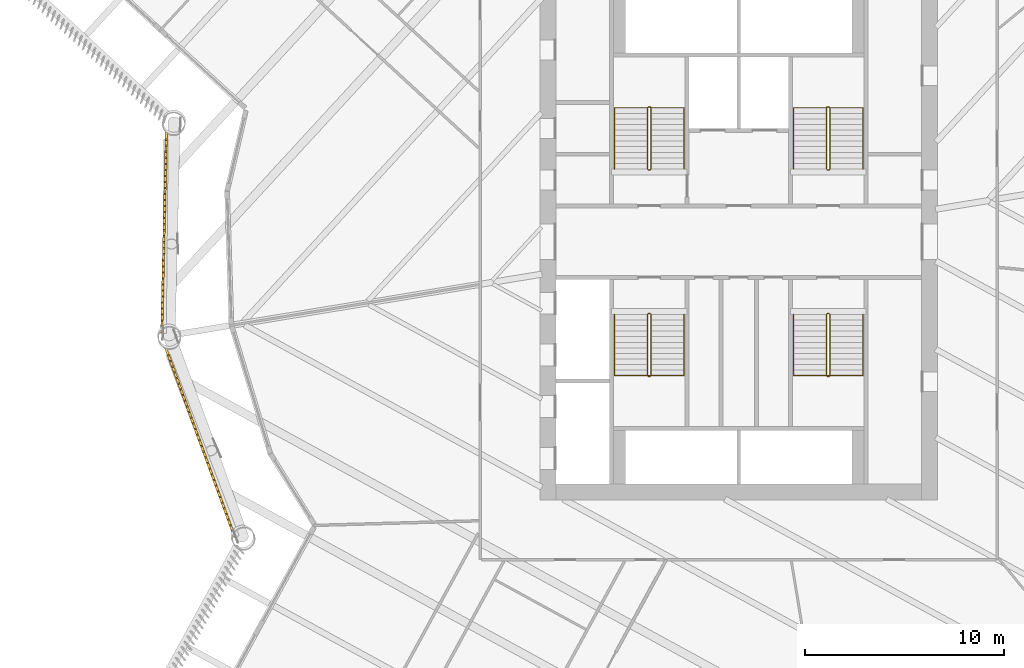
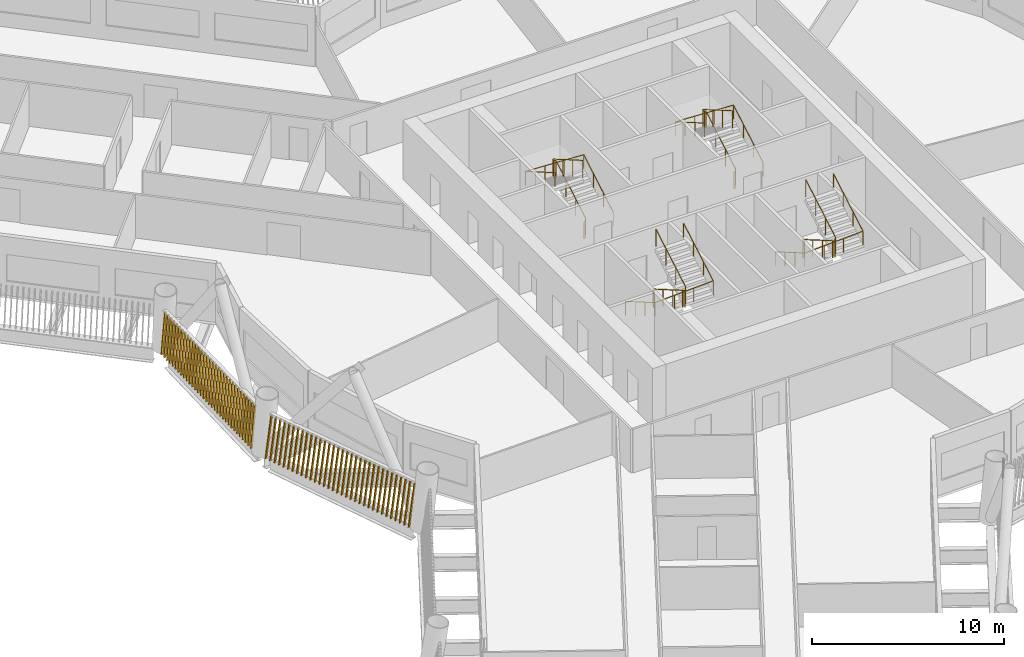
# One storey, part 20 of 24: 8 railings, 2 shading devices.
"""IFC4 building model written with IfcOpenShell, lengths in metres."""

from ifc_helpers import new_model, si_unit, direction, frame, frame_2d, origin, origin_2d, place, context, subcontext, project, spatial, rectangle, circle, composite_profile, extrude, material, type_object, element, save


model = new_model("IFC4")

# Units and contexts
model_context = context("Model", 3, precision=1e-05, world=origin(), true_north=direction((0.0, 1.0)))
body_context = subcontext(model_context, "Body", "Model", "MODEL_VIEW")
ifc_project = project(units=[si_unit("LENGTHUNIT", "METRE"), si_unit("AREAUNIT", "SQUARE_METRE"), si_unit("VOLUMEUNIT", "CUBIC_METRE"), si_unit("PLANEANGLEUNIT", "RADIAN"), si_unit("MASSUNIT", "GRAM", prefix="KILO")], contexts=[model_context])

# Site, building, storey
site_placement = place(None, origin())
site = spatial("IfcSite", under=ifc_project, at=site_placement, CompositionType="ELEMENT")
building_placement = place(site_placement, origin())
building = spatial("IfcBuilding", under=site, at=building_placement, Name="Tarsis Ring Headquarters", CompositionType="ELEMENT")
storey_placement = place(building_placement, frame((0.0, 0.0, 92.800048828125)))
storey = spatial("IfcBuildingStorey", under=building, at=storey_placement, Name="L20", CompositionType="ELEMENT", Elevation=92.800048828125)

# Railings
ifc_material_1 = material(Name="Steel S355", Category="steel")
railing_type_1 = type_object("IfcRailingType", Name="Core stair guard 1100", PredefinedType="GUARDRAIL", material=ifc_material_1)
railing_1_placement = place(storey_placement, frame((-4.5400390625, 3.610107421875, 0.0)))
element("IfcRailing", 1, at=railing_1_placement, inside=storey, type_object=railing_type_1, Name="L20 ST1 stair guard 1", PredefinedType="GUARDRAIL", context=body_context, shape_type="SweptSolid", body=[
    extrude(circle(Radius=0.02392578125, at=origin_2d()), frame((0.0, 0.0, 1.076171875), z_axis=(1.0, 0.0, 0.0), x_axis=(0.0, 1.0, 0.0)), (0.0, 0.0, 1.0), 0.080078125),
    extrude(circle(Radius=0.02392578125, at=origin_2d()), frame((0.080078125, 0.0, 1.076171875), z_axis=(0.282693820306, 0.281314826061, 0.917031173188), x_axis=(-0.705375805398, 0.708833529934, 0.0)), (0.0, 0.0, 1.0), 0.177001953125),
    extrude(circle(Radius=0.02392578125, at=origin_2d()), frame((0.130126953125, 0.0498046875, 1.23828125), z_axis=(0.0, 0.864890721111, 0.501960198159), x_axis=(-1.0, 0.0, 0.0)), (0.0, 0.0, 1.0), 3.561279296875),
    extrude(circle(Radius=0.02392578125, at=origin_2d()), frame((0.130126953125, 3.1298828125, 3.02587890625), z_axis=(-0.707106781187, 0.707106781187, 0.0), x_axis=(-0.707106781187, -0.707106781187, 0.0)), (0.0, 0.0, 1.0), 0.07080078125),
    extrude(circle(Radius=0.02392578125, at=origin_2d()), frame((0.080078125, 3.179931640625, 3.02587890625), z_axis=(-1.0, 0.0, 0.0), x_axis=(0.0, -1.0, 0.0)), (0.0, 0.0, 1.0), 0.080078125),
    extrude(circle(Radius=0.02392578125, at=origin_2d()), frame((0.0, 3.179931640625, 3.02587890625), z_axis=(-0.282227285176, -0.282227285176, 0.916894497205), x_axis=(0.707106781187, -0.707106781187, 0.0)), (0.0, 0.0, 1.0), 0.17724609375),
    extrude(circle(Radius=0.02392578125, at=origin_2d()), frame((-0.050048828125, 3.1298828125, 3.1884765625), z_axis=(0.0, -0.864920483161, 0.501908913857), x_axis=(1.0, 0.0, 0.0)), (0.0, 0.0, 1.0), 3.56103515625),
    extrude(circle(Radius=0.02099609375, at=origin_2d()), origin(), (0.0, 0.0, 1.0), 1.052001953125),
    extrude(circle(Radius=0.02099609375, at=origin_2d()), frame((0.080078125, 0.0, 0.0)), (0.0, 0.0, 1.0), 1.052001953125),
    extrude(circle(Radius=0.02099609375, at=origin_2d()), frame((0.130126953125, 0.0498046875, 0.162353515625)), (0.0, 0.0, 1.0), 1.052001953125),
    extrude(circle(Radius=0.02099609375, at=origin_2d()), frame((0.130126953125, 1.076416015625, 0.75830078125)), (0.0, 0.0, 1.0), 1.052001953125),
    extrude(circle(Radius=0.02099609375, at=origin_2d()), frame((0.130126953125, 2.103271484375, 1.35400390625)), (0.0, 0.0, 1.0), 1.052001953125),
    extrude(circle(Radius=0.02099609375, at=origin_2d()), frame((0.130126953125, 3.1298828125, 1.949951171875)), (0.0, 0.0, 1.0), 1.052001953125),
    extrude(circle(Radius=0.02099609375, at=origin_2d()), frame((0.080078125, 3.179931640625, 1.949951171875)), (0.0, 0.0, 1.0), 1.052001953125),
    extrude(circle(Radius=0.02099609375, at=origin_2d()), frame((0.0, 3.179931640625, 1.949951171875)), (0.0, 0.0, 1.0), 1.052001953125),
    extrude(circle(Radius=0.02099609375, at=origin_2d()), frame((-0.050048828125, 3.1298828125, 2.112548828125)), (0.0, 0.0, 1.0), 1.052001953125),
    extrude(circle(Radius=0.02099609375, at=origin_2d()), frame((-0.050048828125, 2.103271484375, 2.708251953125)), (0.0, 0.0, 1.0), 1.052001953125),
    extrude(circle(Radius=0.02099609375, at=origin_2d()), frame((-0.050048828125, 1.076416015625, 3.30419921875)), (0.0, 0.0, 1.0), 1.052001953125),
    extrude(circle(Radius=0.02099609375, at=origin_2d()), frame((-0.050048828125, 0.0498046875, 3.89990234375)), (0.0, 0.0, 1.0), 1.052001953125),
])
railing_2_placement = place(storey_placement, frame((4.4599609375, 3.610107421875, 0.0)))
element("IfcRailing", 2, at=railing_2_placement, inside=storey, type_object=railing_type_1, Name="L20 ST2 stair guard 1", PredefinedType="GUARDRAIL", context=body_context, shape_type="SweptSolid", body=[
    extrude(circle(Radius=0.02392578125, at=origin_2d()), frame((0.0, 0.0, 1.076171875), z_axis=(1.0, 0.0, 0.0), x_axis=(0.0, 1.0, 0.0)), (0.0, 0.0, 1.0), 0.080078125),
    extrude(circle(Radius=0.02392578125, at=origin_2d()), frame((0.080078125, 0.0, 1.076171875), z_axis=(0.282693820306, 0.281314826061, 0.917031173188), x_axis=(-0.705375805398, 0.708833529934, 0.0)), (0.0, 0.0, 1.0), 0.177001953125),
    extrude(circle(Radius=0.02392578125, at=origin_2d()), frame((0.130126953125, 0.0498046875, 1.23828125), z_axis=(0.0, 0.864890721111, 0.501960198159), x_axis=(-1.0, 0.0, 0.0)), (0.0, 0.0, 1.0), 3.561279296875),
    extrude(circle(Radius=0.02392578125, at=origin_2d()), frame((0.130126953125, 3.1298828125, 3.02587890625), z_axis=(-0.707106781187, 0.707106781187, 0.0), x_axis=(-0.707106781187, -0.707106781187, 0.0)), (0.0, 0.0, 1.0), 0.07080078125),
    extrude(circle(Radius=0.02392578125, at=origin_2d()), frame((0.080078125, 3.179931640625, 3.02587890625), z_axis=(-1.0, 0.0, 0.0), x_axis=(0.0, -1.0, 0.0)), (0.0, 0.0, 1.0), 0.080078125),
    extrude(circle(Radius=0.02392578125, at=origin_2d()), frame((0.0, 3.179931640625, 3.02587890625), z_axis=(-0.282227285176, -0.282227285176, 0.916894497205), x_axis=(0.707106781187, -0.707106781187, 0.0)), (0.0, 0.0, 1.0), 0.17724609375),
    extrude(circle(Radius=0.02392578125, at=origin_2d()), frame((-0.050048828125, 3.1298828125, 3.1884765625), z_axis=(0.0, -0.864920483161, 0.501908913857), x_axis=(1.0, 0.0, 0.0)), (0.0, 0.0, 1.0), 3.56103515625),
    extrude(circle(Radius=0.02099609375, at=origin_2d()), origin(), (0.0, 0.0, 1.0), 1.052001953125),
    extrude(circle(Radius=0.02099609375, at=origin_2d()), frame((0.080078125, 0.0, 0.0)), (0.0, 0.0, 1.0), 1.052001953125),
    extrude(circle(Radius=0.02099609375, at=origin_2d()), frame((0.130126953125, 0.0498046875, 0.162353515625)), (0.0, 0.0, 1.0), 1.052001953125),
    extrude(circle(Radius=0.02099609375, at=origin_2d()), frame((0.130126953125, 1.076416015625, 0.75830078125)), (0.0, 0.0, 1.0), 1.052001953125),
    extrude(circle(Radius=0.02099609375, at=origin_2d()), frame((0.130126953125, 2.103271484375, 1.35400390625)), (0.0, 0.0, 1.0), 1.052001953125),
    extrude(circle(Radius=0.02099609375, at=origin_2d()), frame((0.130126953125, 3.1298828125, 1.949951171875)), (0.0, 0.0, 1.0), 1.052001953125),
    extrude(circle(Radius=0.02099609375, at=origin_2d()), frame((0.080078125, 3.179931640625, 1.949951171875)), (0.0, 0.0, 1.0), 1.052001953125),
    extrude(circle(Radius=0.02099609375, at=origin_2d()), frame((0.0, 3.179931640625, 1.949951171875)), (0.0, 0.0, 1.0), 1.052001953125),
    extrude(circle(Radius=0.02099609375, at=origin_2d()), frame((-0.050048828125, 3.1298828125, 2.112548828125)), (0.0, 0.0, 1.0), 1.052001953125),
    extrude(circle(Radius=0.02099609375, at=origin_2d()), frame((-0.050048828125, 2.103271484375, 2.708251953125)), (0.0, 0.0, 1.0), 1.052001953125),
    extrude(circle(Radius=0.02099609375, at=origin_2d()), frame((-0.050048828125, 1.076416015625, 3.30419921875)), (0.0, 0.0, 1.0), 1.052001953125),
    extrude(circle(Radius=0.02099609375, at=origin_2d()), frame((-0.050048828125, 0.0498046875, 3.89990234375)), (0.0, 0.0, 1.0), 1.052001953125),
])
railing_3_placement = place(storey_placement, frame((-4.4599609375, -3.610107421875, 0.0)))
element("IfcRailing", 3, at=railing_3_placement, inside=storey, type_object=railing_type_1, Name="L20 ST3 stair guard 1", PredefinedType="GUARDRAIL", context=body_context, shape_type="SweptSolid", body=[
    extrude(circle(Radius=0.02392578125, at=origin_2d()), frame((0.0, 0.0, 1.076171875), z_axis=(-1.0, 0.0, 0.0), x_axis=(0.0, -1.0, 0.0)), (0.0, 0.0, 1.0), 0.080078125),
    extrude(circle(Radius=0.02392578125, at=origin_2d()), frame((-0.080078125, 0.0, 1.076171875), z_axis=(-0.282693820306, -0.281314826061, 0.917031173188), x_axis=(0.705375805398, -0.708833529934, 0.0)), (0.0, 0.0, 1.0), 0.177001953125),
    extrude(circle(Radius=0.02392578125, at=origin_2d()), frame((-0.130126953125, -0.0498046875, 1.23828125), z_axis=(0.0, -0.864890721111, 0.501960198159), x_axis=(1.0, 0.0, 0.0)), (0.0, 0.0, 1.0), 3.561279296875),
    extrude(circle(Radius=0.02392578125, at=origin_2d()), frame((-0.130126953125, -3.1298828125, 3.02587890625), z_axis=(0.707106781187, -0.707106781187, 0.0), x_axis=(0.707106781187, 0.707106781187, 0.0)), (0.0, 0.0, 1.0), 0.07080078125),
    extrude(circle(Radius=0.02392578125, at=origin_2d()), frame((-0.080078125, -3.179931640625, 3.02587890625), z_axis=(1.0, 0.0, 0.0), x_axis=(0.0, 1.0, 0.0)), (0.0, 0.0, 1.0), 0.080078125),
    extrude(circle(Radius=0.02392578125, at=origin_2d()), frame((0.0, -3.179931640625, 3.02587890625), z_axis=(0.282227285176, 0.282227285176, 0.916894497205), x_axis=(-0.707106781187, 0.707106781187, 0.0)), (0.0, 0.0, 1.0), 0.17724609375),
    extrude(circle(Radius=0.02392578125, at=origin_2d()), frame((0.050048828125, -3.1298828125, 3.1884765625), z_axis=(0.0, 0.864920483161, 0.501908913857), x_axis=(-1.0, 0.0, 0.0)), (0.0, 0.0, 1.0), 3.56103515625),
    extrude(circle(Radius=0.02099609375, at=origin_2d()), origin(), (0.0, 0.0, 1.0), 1.052001953125),
    extrude(circle(Radius=0.02099609375, at=origin_2d()), frame((-0.080078125, 0.0, 0.0)), (0.0, 0.0, 1.0), 1.052001953125),
    extrude(circle(Radius=0.02099609375, at=origin_2d()), frame((-0.130126953125, -0.0498046875, 0.162353515625)), (0.0, 0.0, 1.0), 1.052001953125),
    extrude(circle(Radius=0.02099609375, at=origin_2d()), frame((-0.130126953125, -1.076416015625, 0.75830078125)), (0.0, 0.0, 1.0), 1.052001953125),
    extrude(circle(Radius=0.02099609375, at=origin_2d()), frame((-0.130126953125, -2.103271484375, 1.35400390625)), (0.0, 0.0, 1.0), 1.052001953125),
    extrude(circle(Radius=0.02099609375, at=origin_2d()), frame((-0.130126953125, -3.1298828125, 1.949951171875)), (0.0, 0.0, 1.0), 1.052001953125),
    extrude(circle(Radius=0.02099609375, at=origin_2d()), frame((-0.080078125, -3.179931640625, 1.949951171875)), (0.0, 0.0, 1.0), 1.052001953125),
    extrude(circle(Radius=0.02099609375, at=origin_2d()), frame((0.0, -3.179931640625, 1.949951171875)), (0.0, 0.0, 1.0), 1.052001953125),
    extrude(circle(Radius=0.02099609375, at=origin_2d()), frame((0.050048828125, -3.1298828125, 2.112548828125)), (0.0, 0.0, 1.0), 1.052001953125),
    extrude(circle(Radius=0.02099609375, at=origin_2d()), frame((0.050048828125, -2.103271484375, 2.708251953125)), (0.0, 0.0, 1.0), 1.052001953125),
    extrude(circle(Radius=0.02099609375, at=origin_2d()), frame((0.050048828125, -1.076416015625, 3.30419921875)), (0.0, 0.0, 1.0), 1.052001953125),
    extrude(circle(Radius=0.02099609375, at=origin_2d()), frame((0.050048828125, -0.0498046875, 3.89990234375)), (0.0, 0.0, 1.0), 1.052001953125),
])
railing_4_placement = place(storey_placement, frame((4.5400390625, -3.610107421875, 0.0)))
element("IfcRailing", 4, at=railing_4_placement, inside=storey, type_object=railing_type_1, Name="L20 ST4 stair guard 1", PredefinedType="GUARDRAIL", context=body_context, shape_type="SweptSolid", body=[
    extrude(circle(Radius=0.02392578125, at=origin_2d()), frame((0.0, 0.0, 1.076171875), z_axis=(-1.0, 0.0, 0.0), x_axis=(0.0, -1.0, 0.0)), (0.0, 0.0, 1.0), 0.080078125),
    extrude(circle(Radius=0.02392578125, at=origin_2d()), frame((-0.080078125, 0.0, 1.076171875), z_axis=(-0.282693820306, -0.281314826061, 0.917031173188), x_axis=(0.705375805398, -0.708833529934, 0.0)), (0.0, 0.0, 1.0), 0.177001953125),
    extrude(circle(Radius=0.02392578125, at=origin_2d()), frame((-0.130126953125, -0.0498046875, 1.23828125), z_axis=(0.0, -0.864890721111, 0.501960198159), x_axis=(1.0, 0.0, 0.0)), (0.0, 0.0, 1.0), 3.561279296875),
    extrude(circle(Radius=0.02392578125, at=origin_2d()), frame((-0.130126953125, -3.1298828125, 3.02587890625), z_axis=(0.707106781187, -0.707106781187, 0.0), x_axis=(0.707106781187, 0.707106781187, 0.0)), (0.0, 0.0, 1.0), 0.07080078125),
    extrude(circle(Radius=0.02392578125, at=origin_2d()), frame((-0.080078125, -3.179931640625, 3.02587890625), z_axis=(1.0, 0.0, 0.0), x_axis=(0.0, 1.0, 0.0)), (0.0, 0.0, 1.0), 0.080078125),
    extrude(circle(Radius=0.02392578125, at=origin_2d()), frame((0.0, -3.179931640625, 3.02587890625), z_axis=(0.282227285176, 0.282227285176, 0.916894497205), x_axis=(-0.707106781187, 0.707106781187, 0.0)), (0.0, 0.0, 1.0), 0.17724609375),
    extrude(circle(Radius=0.02392578125, at=origin_2d()), frame((0.050048828125, -3.1298828125, 3.1884765625), z_axis=(0.0, 0.864920483161, 0.501908913857), x_axis=(-1.0, 0.0, 0.0)), (0.0, 0.0, 1.0), 3.56103515625),
    extrude(circle(Radius=0.02099609375, at=origin_2d()), origin(), (0.0, 0.0, 1.0), 1.052001953125),
    extrude(circle(Radius=0.02099609375, at=origin_2d()), frame((-0.080078125, 0.0, 0.0)), (0.0, 0.0, 1.0), 1.052001953125),
    extrude(circle(Radius=0.02099609375, at=origin_2d()), frame((-0.130126953125, -0.0498046875, 0.162353515625)), (0.0, 0.0, 1.0), 1.052001953125),
    extrude(circle(Radius=0.02099609375, at=origin_2d()), frame((-0.130126953125, -1.076416015625, 0.75830078125)), (0.0, 0.0, 1.0), 1.052001953125),
    extrude(circle(Radius=0.02099609375, at=origin_2d()), frame((-0.130126953125, -2.103271484375, 1.35400390625)), (0.0, 0.0, 1.0), 1.052001953125),
    extrude(circle(Radius=0.02099609375, at=origin_2d()), frame((-0.130126953125, -3.1298828125, 1.949951171875)), (0.0, 0.0, 1.0), 1.052001953125),
    extrude(circle(Radius=0.02099609375, at=origin_2d()), frame((-0.080078125, -3.179931640625, 1.949951171875)), (0.0, 0.0, 1.0), 1.052001953125),
    extrude(circle(Radius=0.02099609375, at=origin_2d()), frame((0.0, -3.179931640625, 1.949951171875)), (0.0, 0.0, 1.0), 1.052001953125),
    extrude(circle(Radius=0.02099609375, at=origin_2d()), frame((0.050048828125, -3.1298828125, 2.112548828125)), (0.0, 0.0, 1.0), 1.052001953125),
    extrude(circle(Radius=0.02099609375, at=origin_2d()), frame((0.050048828125, -2.103271484375, 2.708251953125)), (0.0, 0.0, 1.0), 1.052001953125),
    extrude(circle(Radius=0.02099609375, at=origin_2d()), frame((0.050048828125, -1.076416015625, 3.30419921875)), (0.0, 0.0, 1.0), 1.052001953125),
    extrude(circle(Radius=0.02099609375, at=origin_2d()), frame((0.050048828125, -0.0498046875, 3.89990234375)), (0.0, 0.0, 1.0), 1.052001953125),
])
railing_type_2 = type_object("IfcRailingType", Name="Core stair handrail 900", PredefinedType="HANDRAIL", material=ifc_material_1)
railing_5_placement = place(storey_placement, frame((-2.75, 3.659912109375, 0.162353515625)))
element("IfcRailing", 5, at=railing_5_placement, inside=storey, type_object=railing_type_2, Name="L20 ST1 stair handrail 1", PredefinedType="HANDRAIL", context=body_context, shape_type="SweptSolid", body=[
    extrude(circle(Radius=0.02392578125, at=origin_2d()), frame((0.0, 0.0, 0.8759765625), z_axis=(0.0, 0.864890721111, 0.501960198159), x_axis=(-1.0, 0.0, 0.0)), (0.0, 0.0, 1.0), 3.561279296875),
    extrude(circle(Radius=0.02392578125, at=origin_2d()), frame((0.0, 3.080078125, 2.66357421875), z_axis=(-0.998922641604, 0.0, 0.046406422943), x_axis=(0.0, -1.0, 0.0)), (0.0, 0.0, 1.0), 3.503662109375),
    extrude(circle(Radius=0.02392578125, at=origin_2d()), frame((-3.5, 3.080078125, 2.826171875), z_axis=(0.0, -0.864920483161, 0.501908913857), x_axis=(1.0, 0.0, 0.0)), (0.0, 0.0, 1.0), 3.56103515625),
    extrude(circle(Radius=0.02099609375, at=origin_2d()), origin(), (0.0, 0.0, 1.0), 0.851806640625),
    extrude(circle(Radius=0.02099609375, at=origin_2d()), frame((0.0, 1.026611328125, 0.595947265625)), (0.0, 0.0, 1.0), 0.851806640625),
    extrude(circle(Radius=0.02099609375, at=origin_2d()), frame((0.0, 2.053466796875, 1.191650390625)), (0.0, 0.0, 1.0), 0.851806640625),
    extrude(circle(Radius=0.02099609375, at=origin_2d()), frame((0.0, 3.080078125, 1.78759765625)), (0.0, 0.0, 1.0), 0.851806640625),
    extrude(circle(Radius=0.02099609375, at=origin_2d()), frame((-1.166748046875, 3.080078125, 1.841796875)), (0.0, 0.0, 1.0), 0.851806640625),
    extrude(circle(Radius=0.02099609375, at=origin_2d()), frame((-2.333251953125, 3.080078125, 1.89599609375)), (0.0, 0.0, 1.0), 0.851806640625),
    extrude(circle(Radius=0.02099609375, at=origin_2d()), frame((-3.5, 3.080078125, 1.9501953125)), (0.0, 0.0, 1.0), 0.851806640625),
    extrude(circle(Radius=0.02099609375, at=origin_2d()), frame((-3.5, 2.053466796875, 2.5458984375)), (0.0, 0.0, 1.0), 0.851806640625),
    extrude(circle(Radius=0.02099609375, at=origin_2d()), frame((-3.5, 1.026611328125, 3.141845703125)), (0.0, 0.0, 1.0), 0.851806640625),
    extrude(circle(Radius=0.02099609375, at=origin_2d()), frame((-3.5, 0.0, 3.737548828125)), (0.0, 0.0, 1.0), 0.851806640625),
])
railing_6_placement = place(storey_placement, frame((6.25, 3.659912109375, 0.162353515625)))
element("IfcRailing", 6, at=railing_6_placement, inside=storey, type_object=railing_type_2, Name="L20 ST2 stair handrail 1", PredefinedType="HANDRAIL", context=body_context, shape_type="SweptSolid", body=[
    extrude(circle(Radius=0.02392578125, at=origin_2d()), frame((0.0, 0.0, 0.8759765625), z_axis=(0.0, 0.864890721111, 0.501960198159), x_axis=(-1.0, 0.0, 0.0)), (0.0, 0.0, 1.0), 3.561279296875),
    extrude(circle(Radius=0.02392578125, at=origin_2d()), frame((0.0, 3.080078125, 2.66357421875), z_axis=(-0.998922641604, 0.0, 0.046406422943), x_axis=(0.0, -1.0, 0.0)), (0.0, 0.0, 1.0), 3.503662109375),
    extrude(circle(Radius=0.02392578125, at=origin_2d()), frame((-3.5, 3.080078125, 2.826171875), z_axis=(0.0, -0.864920483161, 0.501908913857), x_axis=(1.0, 0.0, 0.0)), (0.0, 0.0, 1.0), 3.56103515625),
    extrude(circle(Radius=0.02099609375, at=origin_2d()), origin(), (0.0, 0.0, 1.0), 0.851806640625),
    extrude(circle(Radius=0.02099609375, at=origin_2d()), frame((0.0, 1.026611328125, 0.595947265625)), (0.0, 0.0, 1.0), 0.851806640625),
    extrude(circle(Radius=0.02099609375, at=origin_2d()), frame((0.0, 2.053466796875, 1.191650390625)), (0.0, 0.0, 1.0), 0.851806640625),
    extrude(circle(Radius=0.02099609375, at=origin_2d()), frame((0.0, 3.080078125, 1.78759765625)), (0.0, 0.0, 1.0), 0.851806640625),
    extrude(circle(Radius=0.02099609375, at=origin_2d()), frame((-1.166748046875, 3.080078125, 1.841796875)), (0.0, 0.0, 1.0), 0.851806640625),
    extrude(circle(Radius=0.02099609375, at=origin_2d()), frame((-2.333251953125, 3.080078125, 1.89599609375)), (0.0, 0.0, 1.0), 0.851806640625),
    extrude(circle(Radius=0.02099609375, at=origin_2d()), frame((-3.5, 3.080078125, 1.9501953125)), (0.0, 0.0, 1.0), 0.851806640625),
    extrude(circle(Radius=0.02099609375, at=origin_2d()), frame((-3.5, 2.053466796875, 2.5458984375)), (0.0, 0.0, 1.0), 0.851806640625),
    extrude(circle(Radius=0.02099609375, at=origin_2d()), frame((-3.5, 1.026611328125, 3.141845703125)), (0.0, 0.0, 1.0), 0.851806640625),
    extrude(circle(Radius=0.02099609375, at=origin_2d()), frame((-3.5, 0.0, 3.737548828125)), (0.0, 0.0, 1.0), 0.851806640625),
])
railing_7_placement = place(storey_placement, frame((-6.25, -3.659912109375, 0.162353515625)))
element("IfcRailing", 7, at=railing_7_placement, inside=storey, type_object=railing_type_2, Name="L20 ST3 stair handrail 1", PredefinedType="HANDRAIL", context=body_context, shape_type="SweptSolid", body=[
    extrude(circle(Radius=0.02392578125, at=origin_2d()), frame((0.0, 0.0, 0.8759765625), z_axis=(0.0, -0.864890721111, 0.501960198159), x_axis=(1.0, 0.0, 0.0)), (0.0, 0.0, 1.0), 3.561279296875),
    extrude(circle(Radius=0.02392578125, at=origin_2d()), frame((0.0, -3.080078125, 2.66357421875), z_axis=(0.998922641604, 0.0, 0.046406422943), x_axis=(0.0, 1.0, 0.0)), (0.0, 0.0, 1.0), 3.503662109375),
    extrude(circle(Radius=0.02392578125, at=origin_2d()), frame((3.5, -3.080078125, 2.826171875), z_axis=(0.0, 0.864920483161, 0.501908913857), x_axis=(-1.0, 0.0, 0.0)), (0.0, 0.0, 1.0), 3.56103515625),
    extrude(circle(Radius=0.02099609375, at=origin_2d()), origin(), (0.0, 0.0, 1.0), 0.851806640625),
    extrude(circle(Radius=0.02099609375, at=origin_2d()), frame((0.0, -1.026611328125, 0.595947265625)), (0.0, 0.0, 1.0), 0.851806640625),
    extrude(circle(Radius=0.02099609375, at=origin_2d()), frame((0.0, -2.053466796875, 1.191650390625)), (0.0, 0.0, 1.0), 0.851806640625),
    extrude(circle(Radius=0.02099609375, at=origin_2d()), frame((0.0, -3.080078125, 1.78759765625)), (0.0, 0.0, 1.0), 0.851806640625),
    extrude(circle(Radius=0.02099609375, at=origin_2d()), frame((1.166748046875, -3.080078125, 1.841796875)), (0.0, 0.0, 1.0), 0.851806640625),
    extrude(circle(Radius=0.02099609375, at=origin_2d()), frame((2.333251953125, -3.080078125, 1.89599609375)), (0.0, 0.0, 1.0), 0.851806640625),
    extrude(circle(Radius=0.02099609375, at=origin_2d()), frame((3.5, -3.080078125, 1.9501953125)), (0.0, 0.0, 1.0), 0.851806640625),
    extrude(circle(Radius=0.02099609375, at=origin_2d()), frame((3.5, -2.053466796875, 2.5458984375)), (0.0, 0.0, 1.0), 0.851806640625),
    extrude(circle(Radius=0.02099609375, at=origin_2d()), frame((3.5, -1.026611328125, 3.141845703125)), (0.0, 0.0, 1.0), 0.851806640625),
    extrude(circle(Radius=0.02099609375, at=origin_2d()), frame((3.5, 0.0, 3.737548828125)), (0.0, 0.0, 1.0), 0.851806640625),
])
railing_8_placement = place(storey_placement, frame((2.75, -3.659912109375, 0.162353515625)))
element("IfcRailing", 8, at=railing_8_placement, inside=storey, type_object=railing_type_2, Name="L20 ST4 stair handrail 1", PredefinedType="HANDRAIL", context=body_context, shape_type="SweptSolid", body=[
    extrude(circle(Radius=0.02392578125, at=origin_2d()), frame((0.0, 0.0, 0.8759765625), z_axis=(0.0, -0.864890721111, 0.501960198159), x_axis=(1.0, 0.0, 0.0)), (0.0, 0.0, 1.0), 3.561279296875),
    extrude(circle(Radius=0.02392578125, at=origin_2d()), frame((0.0, -3.080078125, 2.66357421875), z_axis=(0.998922641604, 0.0, 0.046406422943), x_axis=(0.0, 1.0, 0.0)), (0.0, 0.0, 1.0), 3.503662109375),
    extrude(circle(Radius=0.02392578125, at=origin_2d()), frame((3.5, -3.080078125, 2.826171875), z_axis=(0.0, 0.864920483161, 0.501908913857), x_axis=(-1.0, 0.0, 0.0)), (0.0, 0.0, 1.0), 3.56103515625),
    extrude(circle(Radius=0.02099609375, at=origin_2d()), origin(), (0.0, 0.0, 1.0), 0.851806640625),
    extrude(circle(Radius=0.02099609375, at=origin_2d()), frame((0.0, -1.026611328125, 0.595947265625)), (0.0, 0.0, 1.0), 0.851806640625),
    extrude(circle(Radius=0.02099609375, at=origin_2d()), frame((0.0, -2.053466796875, 1.191650390625)), (0.0, 0.0, 1.0), 0.851806640625),
    extrude(circle(Radius=0.02099609375, at=origin_2d()), frame((0.0, -3.080078125, 1.78759765625)), (0.0, 0.0, 1.0), 0.851806640625),
    extrude(circle(Radius=0.02099609375, at=origin_2d()), frame((1.166748046875, -3.080078125, 1.841796875)), (0.0, 0.0, 1.0), 0.851806640625),
    extrude(circle(Radius=0.02099609375, at=origin_2d()), frame((2.333251953125, -3.080078125, 1.89599609375)), (0.0, 0.0, 1.0), 0.851806640625),
    extrude(circle(Radius=0.02099609375, at=origin_2d()), frame((3.5, -3.080078125, 1.9501953125)), (0.0, 0.0, 1.0), 0.851806640625),
    extrude(circle(Radius=0.02099609375, at=origin_2d()), frame((3.5, -2.053466796875, 2.5458984375)), (0.0, 0.0, 1.0), 0.851806640625),
    extrude(circle(Radius=0.02099609375, at=origin_2d()), frame((3.5, -1.026611328125, 3.141845703125)), (0.0, 0.0, 1.0), 0.851806640625),
    extrude(circle(Radius=0.02099609375, at=origin_2d()), frame((3.5, 0.0, 3.737548828125)), (0.0, 0.0, 1.0), 0.851806640625),
])

# Shading devices
ifc_material_2 = material(Name="Terracotta baguette", Category="masonry")
shading_device_type = type_object("IfcShadingDeviceType", Name="Terracotta baguette screen", PredefinedType="USERDEFINED", material=ifc_material_2)
shading_device_1_placement = place(storey_placement, frame((-28.8427734375, -5.322509765625, 0.0), z_axis=(0.0, 0.0, 1.0), x_axis=(0.342752211063, -0.939414380653, 0.0)))
element("IfcShadingDevice", 9, at=shading_device_1_placement, inside=storey, type_object=shading_device_type, Name="Baguette screen L20-00", ObjectType="Terracotta baguette screen", PredefinedType="USERDEFINED", context=body_context, shape_type="SweptSolid", body=[
    extrude(composite_profile([rectangle(XDim=0.06005859375, YDim=0.1201171875, at=frame_2d((0.030029296875, 0.0))), rectangle(XDim=0.06005859375, YDim=0.1201171875, at=frame_2d((0.33349609375, 0.0))), rectangle(XDim=0.06005859375, YDim=0.1201171875, at=frame_2d((0.636962890625, 0.0))), rectangle(XDim=0.06005859375, YDim=0.1201171875, at=frame_2d((0.9404296875, 0.0))), rectangle(XDim=0.06005859375, YDim=0.1201171875, at=frame_2d((1.243896484375, 0.0))), rectangle(XDim=0.06005859375, YDim=0.1201171875, at=frame_2d((1.54736328125, 0.0))), rectangle(XDim=0.06005859375, YDim=0.1201171875, at=frame_2d((1.85107421875, 0.0))), rectangle(XDim=0.06005859375, YDim=0.1201171875, at=frame_2d((2.154541015625, 0.0))), rectangle(XDim=0.06005859375, YDim=0.1201171875, at=frame_2d((2.4580078125, 0.0))), rectangle(XDim=0.06005859375, YDim=0.1201171875, at=frame_2d((2.761474609375, 0.0))), rectangle(XDim=0.06005859375, YDim=0.1201171875, at=frame_2d((3.06494140625, 0.0))), rectangle(XDim=0.06005859375, YDim=0.1201171875, at=frame_2d((3.368408203125, 0.0))), rectangle(XDim=0.06005859375, YDim=0.1201171875, at=frame_2d((3.671875, 0.0))), rectangle(XDim=0.06005859375, YDim=0.1201171875, at=frame_2d((3.975341796875, 0.0))), rectangle(XDim=0.06005859375, YDim=0.1201171875, at=frame_2d((4.27880859375, 0.0))), rectangle(XDim=0.06005859375, YDim=0.1201171875, at=frame_2d((4.582275390625, 0.0))), rectangle(XDim=0.06005859375, YDim=0.1201171875, at=frame_2d((4.8857421875, 0.0))), rectangle(XDim=0.06005859375, YDim=0.1201171875, at=frame_2d((5.189453125, 0.0))), rectangle(XDim=0.06005859375, YDim=0.1201171875, at=frame_2d((5.492919921875, 0.0))), rectangle(XDim=0.06005859375, YDim=0.1201171875, at=frame_2d((5.79638671875, 0.0))), rectangle(XDim=0.06005859375, YDim=0.1201171875, at=frame_2d((6.099853515625, 0.0))), rectangle(XDim=0.06005859375, YDim=0.1201171875, at=frame_2d((6.4033203125, 0.0))), rectangle(XDim=0.06005859375, YDim=0.1201171875, at=frame_2d((6.706787109375, 0.0))), rectangle(XDim=0.06005859375, YDim=0.1201171875, at=frame_2d((7.01025390625, 0.0))), rectangle(XDim=0.06005859375, YDim=0.1201171875, at=frame_2d((7.313720703125, 0.0))), rectangle(XDim=0.06005859375, YDim=0.1201171875, at=frame_2d((7.6171875, 0.0))), rectangle(XDim=0.06005859375, YDim=0.1201171875, at=frame_2d((7.920654296875, 0.0))), rectangle(XDim=0.06005859375, YDim=0.1201171875, at=frame_2d((8.224365234375, 0.0))), rectangle(XDim=0.06005859375, YDim=0.1201171875, at=frame_2d((8.52783203125, 0.0))), rectangle(XDim=0.06005859375, YDim=0.1201171875, at=frame_2d((8.831298828125, 0.0))), rectangle(XDim=0.06005859375, YDim=0.1201171875, at=frame_2d((9.134765625, 0.0))), rectangle(XDim=0.06005859375, YDim=0.1201171875, at=frame_2d((9.438232421875, 0.0))), rectangle(XDim=0.06005859375, YDim=0.1201171875, at=frame_2d((9.74169921875, 0.0)))]), origin(), (0.132163900476, 0.000899985471, 0.99122746806), 2.978759765625),
])
shading_device_2_placement = place(storey_placement, frame((-28.799072265625, 5.55322265625, 0.0), z_axis=(0.0, 0.0, 1.0), x_axis=(-0.023135540287, -0.999725171768, 0.0)))
element("IfcShadingDevice", 10, at=shading_device_2_placement, inside=storey, type_object=shading_device_type, Name="Baguette screen L20-21", ObjectType="Terracotta baguette screen", PredefinedType="USERDEFINED", context=body_context, shape_type="SweptSolid", body=[
    extrude(composite_profile([rectangle(XDim=0.06005859375, YDim=0.1201171875, at=frame_2d((0.030029296875, 0.0))), rectangle(XDim=0.06005859375, YDim=0.1201171875, at=frame_2d((0.33349609375, 0.0))), rectangle(XDim=0.06005859375, YDim=0.1201171875, at=frame_2d((0.636962890625, 0.0))), rectangle(XDim=0.06005859375, YDim=0.1201171875, at=frame_2d((0.9404296875, 0.0))), rectangle(XDim=0.06005859375, YDim=0.1201171875, at=frame_2d((1.243896484375, 0.0))), rectangle(XDim=0.06005859375, YDim=0.1201171875, at=frame_2d((1.54736328125, 0.0))), rectangle(XDim=0.06005859375, YDim=0.1201171875, at=frame_2d((1.85107421875, 0.0))), rectangle(XDim=0.06005859375, YDim=0.1201171875, at=frame_2d((2.154541015625, 0.0))), rectangle(XDim=0.06005859375, YDim=0.1201171875, at=frame_2d((2.4580078125, 0.0))), rectangle(XDim=0.06005859375, YDim=0.1201171875, at=frame_2d((2.761474609375, 0.0))), rectangle(XDim=0.06005859375, YDim=0.1201171875, at=frame_2d((3.06494140625, 0.0))), rectangle(XDim=0.06005859375, YDim=0.1201171875, at=frame_2d((3.368408203125, 0.0))), rectangle(XDim=0.06005859375, YDim=0.1201171875, at=frame_2d((3.671875, 0.0))), rectangle(XDim=0.06005859375, YDim=0.1201171875, at=frame_2d((3.975341796875, 0.0))), rectangle(XDim=0.06005859375, YDim=0.1201171875, at=frame_2d((4.27880859375, 0.0))), rectangle(XDim=0.06005859375, YDim=0.1201171875, at=frame_2d((4.582275390625, 0.0))), rectangle(XDim=0.06005859375, YDim=0.1201171875, at=frame_2d((4.8857421875, 0.0))), rectangle(XDim=0.06005859375, YDim=0.1201171875, at=frame_2d((5.189453125, 0.0))), rectangle(XDim=0.06005859375, YDim=0.1201171875, at=frame_2d((5.492919921875, 0.0))), rectangle(XDim=0.06005859375, YDim=0.1201171875, at=frame_2d((5.79638671875, 0.0))), rectangle(XDim=0.06005859375, YDim=0.1201171875, at=frame_2d((6.099853515625, 0.0))), rectangle(XDim=0.06005859375, YDim=0.1201171875, at=frame_2d((6.4033203125, 0.0))), rectangle(XDim=0.06005859375, YDim=0.1201171875, at=frame_2d((6.706787109375, 0.0))), rectangle(XDim=0.06005859375, YDim=0.1201171875, at=frame_2d((7.01025390625, 0.0))), rectangle(XDim=0.06005859375, YDim=0.1201171875, at=frame_2d((7.313720703125, 0.0))), rectangle(XDim=0.06005859375, YDim=0.1201171875, at=frame_2d((7.6171875, 0.0))), rectangle(XDim=0.06005859375, YDim=0.1201171875, at=frame_2d((7.920654296875, 0.0))), rectangle(XDim=0.06005859375, YDim=0.1201171875, at=frame_2d((8.224365234375, 0.0))), rectangle(XDim=0.06005859375, YDim=0.1201171875, at=frame_2d((8.52783203125, 0.0))), rectangle(XDim=0.06005859375, YDim=0.1201171875, at=frame_2d((8.831298828125, 0.0))), rectangle(XDim=0.06005859375, YDim=0.1201171875, at=frame_2d((9.134765625, 0.0))), rectangle(XDim=0.06005859375, YDim=0.1201171875, at=frame_2d((9.438232421875, 0.0))), rectangle(XDim=0.06005859375, YDim=0.1201171875, at=frame_2d((9.74169921875, 0.0)))]), origin(), (0.132164512396, 0.000901044165, 0.991227385509), 2.978759765625),
])

save(model, "model.ifc")
